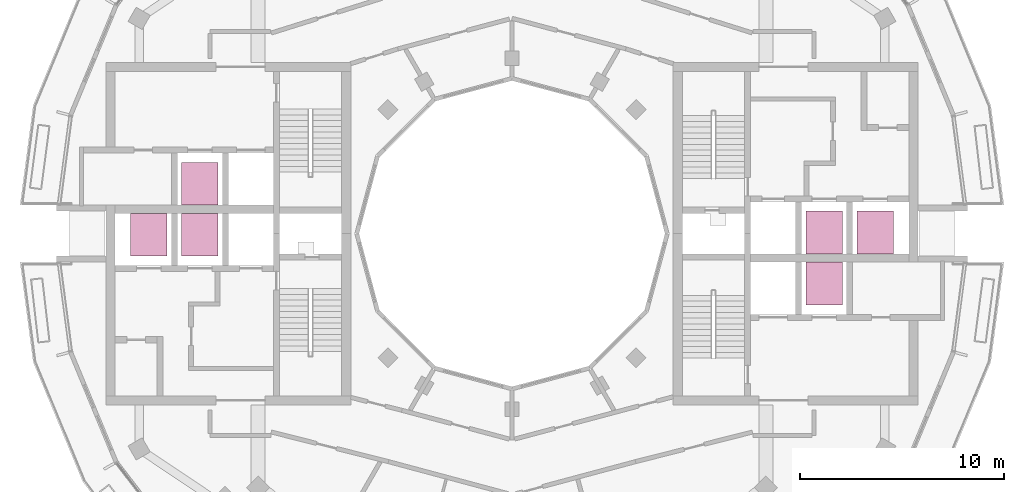
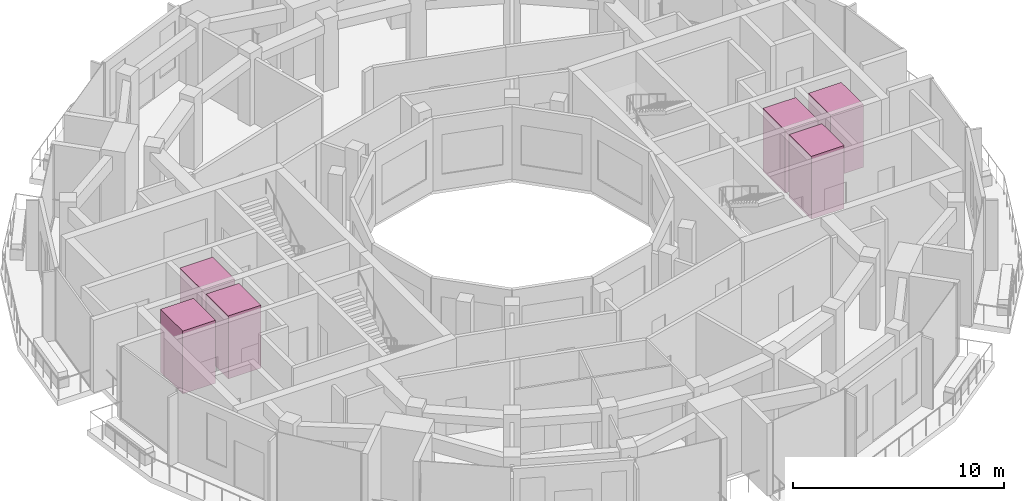
# One storey, part 16 of 16: 6 transport elements.
"""IFC4 building model written with IfcOpenShell, lengths in metres."""

from ifc_helpers import new_model, si_unit, direction, frame, origin, origin_2d, place, context, subcontext, project, spatial, rectangle, extrude, material, type_object, element, save


model = new_model("IFC4")

# Units and contexts
model_context = context("Model", 3, precision=1e-05, world=origin(), true_north=direction((0.0, 1.0)))
body_context = subcontext(model_context, "Body", "Model", "MODEL_VIEW")
ifc_project = project(units=[si_unit("LENGTHUNIT", "METRE"), si_unit("AREAUNIT", "SQUARE_METRE"), si_unit("VOLUMEUNIT", "CUBIC_METRE"), si_unit("PLANEANGLEUNIT", "RADIAN"), si_unit("MASSUNIT", "GRAM", prefix="KILO")], contexts=[model_context])

# Site, building, storey
site_placement = place(None, origin())
site = spatial("IfcSite", under=ifc_project, at=site_placement, CompositionType="ELEMENT")
building_placement = place(site_placement, origin())
building = spatial("IfcBuilding", under=site, at=building_placement, Name="Torre Brocal", CompositionType="ELEMENT")
storey_placement = place(building_placement, frame((0.0, 0.0, 292.5)))
storey = spatial("IfcBuildingStorey", under=building, at=storey_placement, Name="L67", CompositionType="ELEMENT", Elevation=292.5)

# Transport elements
ifc_material = material(Name="Stainless steel AISI 316", Category="steel")
transport_element_type = type_object("IfcTransportElementType", Name="PASSENGER LIFT", PredefinedType="ELEVATOR", material=ifc_material)
for number, where, z_axis, x_axis, name in (
    (1, (95.300048828125, 75.050048828125, 0.0), (0.0, 0.0, 1.0), (1.0, 0.0, 0.0), "HIGH RISE LIFT E-HR1"),
    (2, (95.300048828125, 72.550048828125, 0.0), (0.0, 0.0, 1.0), (1.0, 0.0, 0.0), "HIGH RISE LIFT E-HR2"),
    (3, (97.800048828125, 75.050048828125, 0.0), (0.0, 0.0, 1.0), (1.0, 0.0, 0.0), "HIGH RISE LIFT E-HR3"),
    (4, (64.699951171875, 74.949951171875, 0.0), (0.0, 0.0, 1.0), (1.0, 0.0, 0.0), "HIGH RISE LIFT W-HR1"),
    (5, (64.699951171875, 77.449951171875, 0.0), (0.0, 0.0, 1.0), (1.0, 0.0, 0.0), "HIGH RISE LIFT W-HR2"),
    (6, (62.199951171875, 74.949951171875, 0.0), (0.0, 0.0, 1.0), (1.0, 0.0, 0.0), "HIGH RISE LIFT W-HR3"),
):
    element("IfcTransportElement", number, at=place(storey_placement, frame(where, z_axis=z_axis, x_axis=x_axis)), inside=storey, type_object=transport_element_type, Name=name, PredefinedType="ELEVATOR", context=body_context, shape_type="SweptSolid", body=[
        extrude(rectangle(XDim=1.800048828125, YDim=2.10009765625, at=origin_2d()), origin(), (0.0, 0.0, 1.0), 3.64990234375),
    ])

save(model, "model.ifc")
